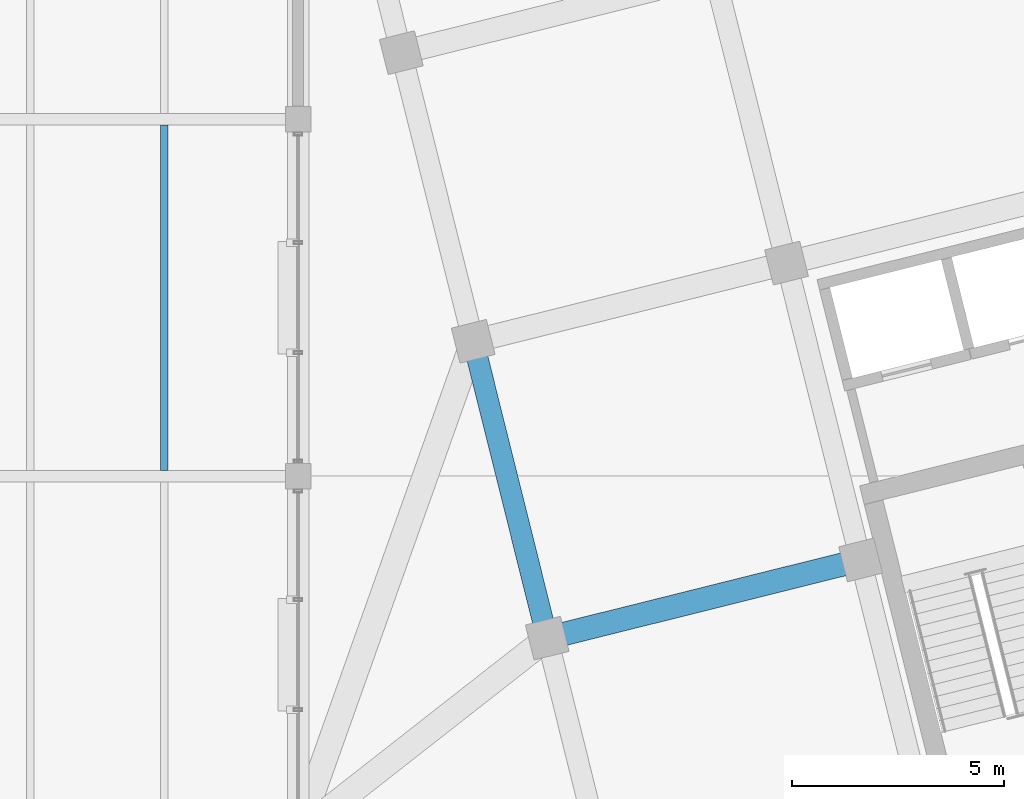
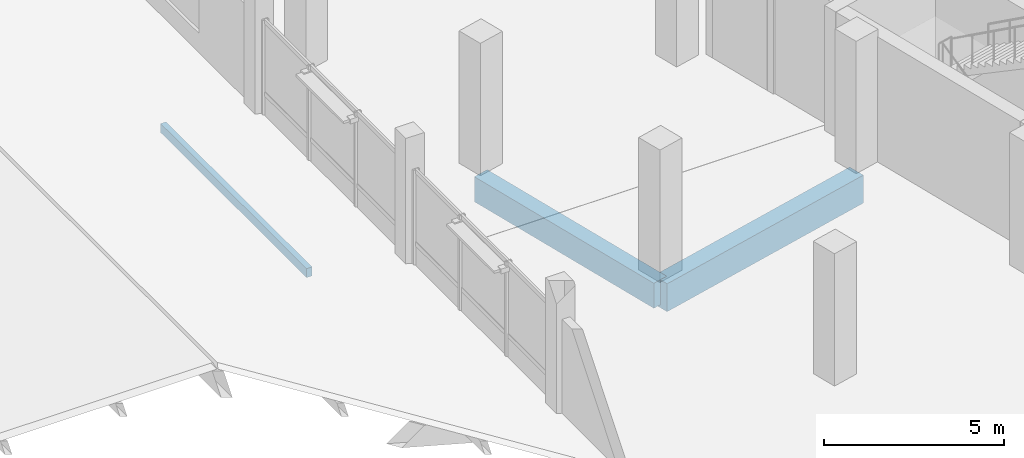
# One storey, part 21 of 77: 2 beams, 1 member.
"""IFC4 building model written with IfcOpenShell, lengths in metres."""

from ifc_helpers import new_model, si_unit, direction, frame, origin, origin_2d, place, context, subcontext, project, spatial, rectangle, extrude, material, material_profile, profile_set, type_object, element, save


model = new_model("IFC4")

# Units and contexts
model_context = context("Model", 3, precision=1e-05, world=origin(), true_north=direction((0.0, 1.0)))
body_context = subcontext(model_context, "Body", "Model", "MODEL_VIEW")
ifc_project = project(units=[si_unit("LENGTHUNIT", "METRE"), si_unit("AREAUNIT", "SQUARE_METRE"), si_unit("VOLUMEUNIT", "CUBIC_METRE"), si_unit("PLANEANGLEUNIT", "RADIAN"), si_unit("MASSUNIT", "GRAM", prefix="KILO")], contexts=[model_context])

# Site, building, storey
site_placement = place(None, origin())
site = spatial("IfcSite", under=ifc_project, at=site_placement, CompositionType="ELEMENT")
building_placement = place(site_placement, origin())
building = spatial("IfcBuilding", under=site, at=building_placement, Name="Meriwether Solvik Hall", CompositionType="ELEMENT")
storey_placement = place(building_placement, frame((0.0, 0.0, 9.89990234375)))
storey = spatial("IfcBuildingStorey", under=building, at=storey_placement, Name="L02", CompositionType="ELEMENT", Elevation=9.89990234375)

# Beams
ifc_material_1 = material(Name="Concrete C40/50", Category="concrete")
ifc_material_profile_1 = material_profile(ifc_material_1, rectangle(XDim=0.5, YDim=0.85009765625, at=origin_2d()), Name="RCB-500X850")
ifc_profile_set_1 = profile_set([ifc_material_profile_1], Name="Concrete C40/50")
beam_type_1 = type_object("IfcBeamType", Name="BM-RC-500X850", PredefinedType="BEAM", material=ifc_profile_set_1)
beam_1_placement = place(storey_placement, frame((65.261474609375, 54.590087890625, -0.7548828125), z_axis=(-0.241937193493, 0.970291911955, 0.0), x_axis=(-0.970291911955, -0.241937193493, 0.0)))
element("IfcBeam", 1, at=beam_1_placement, inside=storey, type_object=beam_type_1, Name="Tower Girder T1:TC-TD (L02)", PredefinedType="BEAM", context=body_context, shape_type="SweptSolid", body=[
    extrude(rectangle(XDim=0.5, YDim=0.85009765625, at=origin_2d()), origin(), (0.0, 0.0, 1.0), 7.199951171875),
])
ifc_material_2 = material(Name="Concrete C40/50", Category="concrete")
ifc_material_profile_2 = material_profile(ifc_material_2, rectangle(XDim=0.550048828125, YDim=0.949951171875, at=origin_2d()), Name="RCB-550X950")
ifc_profile_set_2 = profile_set([ifc_material_profile_2], Name="Concrete C40/50")
beam_type_2 = type_object("IfcBeamType", Name="BM-RC-550X950", PredefinedType="BEAM", material=ifc_profile_set_2)
beam_2_placement = place(storey_placement, frame((65.261474609375, 54.590087890625, -0.804931640625), z_axis=(0.970295366785, 0.241923337436, 0.0), x_axis=(-0.241923337436, 0.970295366785, 0.0)))
element("IfcBeam", 2, at=beam_2_placement, inside=storey, type_object=beam_type_2, Name="Tower Girder TC:T1-T2 (L02)", PredefinedType="BEAM", context=body_context, shape_type="SweptSolid", body=[
    extrude(rectangle(XDim=0.550048828125, YDim=0.949951171875, at=origin_2d()), origin(), (0.0, 0.0, 1.0), 7.60009765625),
])

# Member
ifc_material_3 = material(Name="Glulam Douglas-Fir 24F-V8 GL28h", Category="wood")
ifc_material_profile_3 = material_profile(ifc_material_3, rectangle(XDim=0.175048828125, YDim=0.304931640625, at=origin_2d()), Name="GLM-175X305")
ifc_profile_set_3 = profile_set([ifc_material_profile_3], Name="Glulam Douglas-Fir 24F-V8 GL28h")
member_type = type_object("IfcMemberType", Name="MEM-PRL-GL175", PredefinedType="PURLIN", material=ifc_profile_set_3)
member_placement = place(storey_placement, frame((56.25, 58.532470703125, 0.689697265625), z_axis=(0.0, 1.0, 0.0), x_axis=(-1.0, 0.0, 0.0)))
element("IfcMember", 3, at=member_placement, inside=storey, type_object=member_type, Name="Sloped Roof Glulam Purlin w1_east_gbl_e-7.1", PredefinedType="PURLIN", context=body_context, shape_type="SweptSolid", body=[
    extrude(rectangle(XDim=0.175048828125, YDim=0.304931640625, at=origin_2d()), origin(), (0.0, 0.0, 1.0), 8.135009765625),
])

save(model, "model.ifc")
